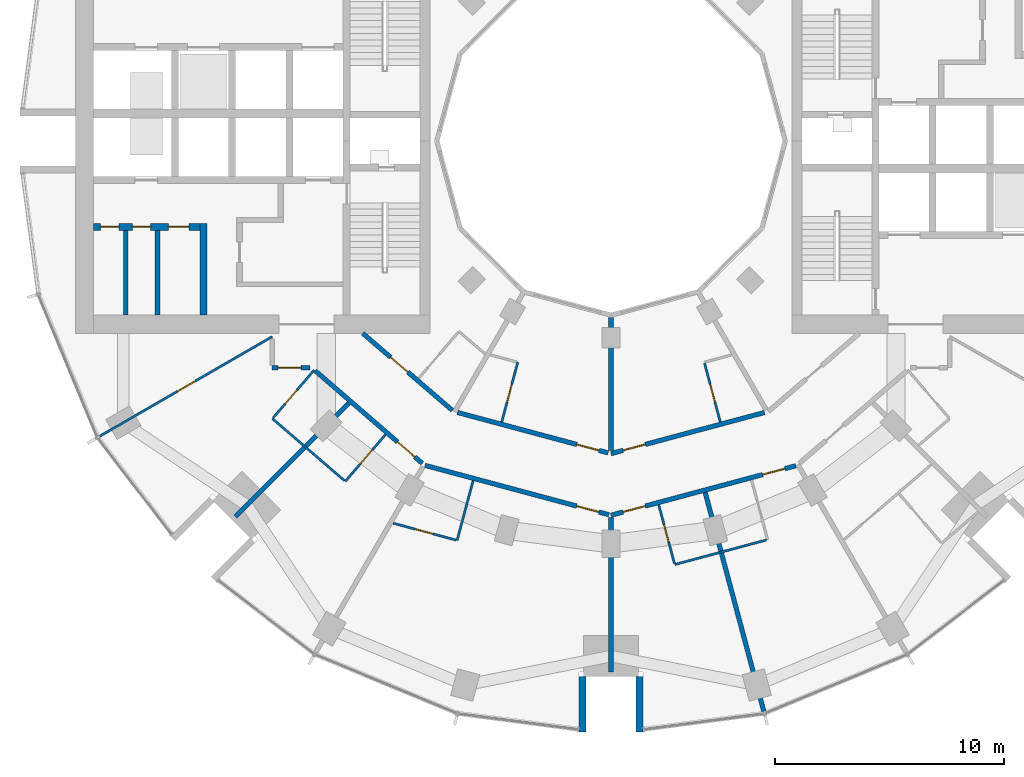
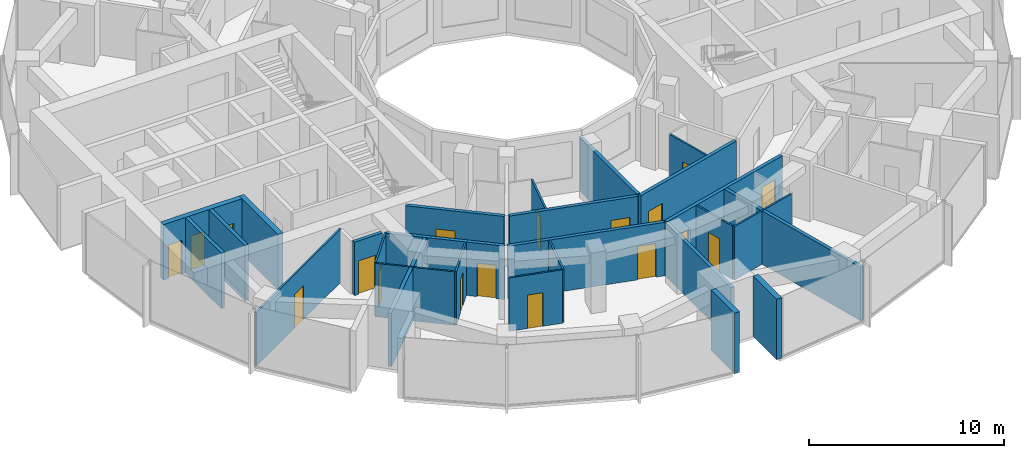
# One storey, part 8 of 15: 27 walls, 18 doors, 18 openings.
"""IFC4 building model written with IfcOpenShell, lengths in metres."""

from ifc_helpers import new_model, si_unit, direction, frame, frame_2d, origin, place, context, subcontext, project, spatial, rectangle, extrude, material, layer, layer_set, type_object, element, fill, save


model = new_model("IFC4")

# Units and contexts
model_context = context("Model", 3, precision=1e-05, world=origin(), true_north=direction((0.0, 1.0)))
body_context = subcontext(model_context, "Body", "Model", "MODEL_VIEW")
ifc_project = project(units=[si_unit("LENGTHUNIT", "METRE"), si_unit("AREAUNIT", "SQUARE_METRE"), si_unit("VOLUMEUNIT", "CUBIC_METRE"), si_unit("PLANEANGLEUNIT", "RADIAN"), si_unit("MASSUNIT", "GRAM", prefix="KILO")], contexts=[model_context])

# Site, building, storey
site_placement = place(None, origin())
site = spatial("IfcSite", under=ifc_project, at=site_placement, CompositionType="ELEMENT")
building_placement = place(site_placement, origin())
building = spatial("IfcBuilding", under=site, at=building_placement, Name="Torre Brocal", CompositionType="ELEMENT")
storey_placement = place(building_placement, frame((0.0, 0.0, 36.39990234375)))
storey = spatial("IfcBuildingStorey", under=building, at=storey_placement, Name="L07", CompositionType="ELEMENT", Elevation=36.39990234375)

# Walls
ifc_material_1 = material(Name="Masonry block", Category="masonry")
ifc_layer_1 = layer(ifc_material_1, 0.199951171875)
ifc_layer_set_1 = layer_set([ifc_layer_1], Name="Masonry block")
wall_type_1 = type_object("IfcWallType", Name="CORE PARTITION 200", PredefinedType="PARTITIONING", material=ifc_layer_set_1)
for number, where, z_axis, x_axis, name in (
    (1, (60.18994140625, 71.10009765625, 0.0), (0.0, 0.0, 1.0), (0.0, -1.0, 0.0), "Wall CP200"),
    (2, (58.794921875, 71.10009765625, 0.0), (0.0, 0.0, 1.0), (0.0, -1.0, 0.0), "Wall CP200"),
):
    element("IfcWall", number, at=place(storey_placement, frame(where, z_axis=z_axis, x_axis=x_axis)), inside=storey, type_object=wall_type_1, Name=name, PredefinedType="PARTITIONING", context=body_context, shape_type="SweptSolid", body=[
        extrude(rectangle(XDim=3.7001953125, YDim=0.199951171875, at=frame_2d((1.85009765625, 0.0))), origin(), (0.0, 0.0, 1.0), 3.47998046875),
    ])
ifc_material_2 = material(Name="Concrete C80", Category="concrete")
ifc_layer_2 = layer(ifc_material_2, 0.300048828125)
ifc_layer_set_2 = layer_set([ifc_layer_2], Name="Concrete C80")
wall_type_2 = type_object("IfcWallType", Name="CORE WALL 300 C80", PredefinedType="SHEAR", material=ifc_layer_set_2)
wall_1_placement = place(storey_placement, frame((62.199951171875, 71.39990234375, 0.0), z_axis=(0.0, 0.0, 1.0), x_axis=(0.0, -1.0, 0.0)))
element("IfcWall", 3, at=wall_1_placement, inside=storey, type_object=wall_type_2, Name="Wall CW300-80", PredefinedType="SHEAR", context=body_context, shape_type="SweptSolid", body=[
    extrude(rectangle(XDim=4.0, YDim=0.300048828125, at=frame_2d((2.0, 0.0))), origin(), (0.0, 0.0, 1.0), 3.47998046875),
])

# Wall, openings, doors
wall_2_placement = place(storey_placement, frame((62.050048828125, 71.25, 0.0), z_axis=(0.0, 0.0, 1.0), x_axis=(-1.0, 0.0, 0.0)))
wall_2 = element("IfcWall", 4, at=wall_2_placement, inside=storey, type_object=wall_type_2, Name="Wall CW300-80", PredefinedType="SHEAR", context=body_context, shape_type="SweptSolid", body=[
    extrude(rectangle(XDim=4.650146484375, YDim=0.300048828125, at=frame_2d((2.3251953125, 0.0))), origin(), (0.0, 0.0, 1.0), 3.47998046875),
])
opening_1_placement = place(wall_2_placement, frame((0.47998046875, 0.0, 0.0)))
opening_1 = element("IfcOpeningElement", 5, at=opening_1_placement, cuts=wall_2, Name="Opening W-D05", PredefinedType="OPENING", context=body_context, shape_type="SweptSolid", body=[
    extrude(rectangle(XDim=0.89990234375, YDim=2.10009765625, at=frame_2d((0.449951171875, 1.050048828125))), frame((0.0, 0.159912109375, 0.0), z_axis=(0.0, -1.0, 0.0), x_axis=(1.0, 0.0, 0.0)), (0.0, 0.0, 1.0), 0.320068359375),
])
opening_2_placement = place(wall_2_placement, frame((2.157470703125, 0.0, 0.0)))
opening_2 = element("IfcOpeningElement", 6, at=opening_2_placement, cuts=wall_2, Name="Opening W-D22", PredefinedType="OPENING", context=body_context, shape_type="SweptSolid", body=[
    extrude(rectangle(XDim=0.800048828125, YDim=2.10009765625, at=frame_2d((0.39990234375, 1.050048828125))), frame((0.0, 0.159912109375, 0.0), z_axis=(0.0, -1.0, 0.0), x_axis=(1.0, 0.0, 0.0)), (0.0, 0.0, 1.0), 0.320068359375),
])
opening_3_placement = place(wall_2_placement, frame((3.552490234375, 0.0, 0.0)))
opening_3 = element("IfcOpeningElement", 7, at=opening_3_placement, cuts=wall_2, Name="Opening W-D25", PredefinedType="OPENING", context=body_context, shape_type="SweptSolid", body=[
    extrude(rectangle(XDim=0.800048828125, YDim=2.10009765625, at=frame_2d((0.39990234375, 1.050048828125))), frame((0.0, 0.159912109375, 0.0), z_axis=(0.0, -1.0, 0.0), x_axis=(1.0, 0.0, 0.0)), (0.0, 0.0, 1.0), 0.320068359375),
])
ifc_material_3 = material(Name="Steel A653", Category="steel")
door_type_1 = type_object("IfcDoorType", Name="ROOM DOOR FD30S 800X2100", OperationType="SINGLE_SWING_LEFT", PredefinedType="DOOR", material=ifc_material_3)
door_1_placement = place(opening_2_placement, origin())
door_1 = element("IfcDoor", 8, at=door_1_placement, inside=storey, type_object=door_type_1, Name="Door W-D22", OperationType="SINGLE_SWING_RIGHT", OverallHeight=2.10009765625, OverallWidth=0.800048828125, PredefinedType="DOOR", context=body_context, shape_type="SweptSolid", body=[
    extrude(rectangle(XDim=0.800048828125, YDim=2.10009765625, at=frame_2d((0.39990234375, 1.050048828125))), frame((0.0, 0.02490234375, 0.0), z_axis=(0.0, -1.0, 0.0), x_axis=(1.0, 0.0, 0.0)), (0.0, 0.0, 1.0), 0.050048828125),
])
fill(opening_2, door_1)
door_2_placement = place(opening_3_placement, origin())
door_2 = element("IfcDoor", 9, at=door_2_placement, inside=storey, type_object=door_type_1, Name="Door W-D25", OperationType="SINGLE_SWING_LEFT", OverallHeight=2.10009765625, OverallWidth=0.800048828125, PredefinedType="DOOR", context=body_context, shape_type="SweptSolid", body=[
    extrude(rectangle(XDim=0.800048828125, YDim=2.10009765625, at=frame_2d((0.39990234375, 1.050048828125))), frame((0.0, 0.02490234375, 0.0), z_axis=(0.0, -1.0, 0.0), x_axis=(1.0, 0.0, 0.0)), (0.0, 0.0, 1.0), 0.050048828125),
])
fill(opening_3, door_2)
ifc_material_4 = material(Name="Steel A653", Category="steel")
door_type_2 = type_object("IfcDoorType", Name="ROOM DOOR FD30S 900X2100", OperationType="SINGLE_SWING_LEFT", PredefinedType="DOOR", material=ifc_material_4)
door_3_placement = place(opening_1_placement, origin())
door_3 = element("IfcDoor", 10, at=door_3_placement, inside=storey, type_object=door_type_2, Name="Door W-D05", OperationType="SINGLE_SWING_RIGHT", OverallHeight=2.10009765625, OverallWidth=0.89990234375, PredefinedType="DOOR", context=body_context, shape_type="SweptSolid", body=[
    extrude(rectangle(XDim=0.89990234375, YDim=2.10009765625, at=frame_2d((0.449951171875, 1.050048828125))), frame((0.0, 0.02490234375, 0.0), z_axis=(0.0, -1.0, 0.0), x_axis=(1.0, 0.0, 0.0)), (0.0, 0.0, 1.0), 0.050048828125),
])
fill(opening_1, door_3)

# Walls
ifc_material_5 = material(Name="Concrete C80", Category="concrete")
ifc_layer_3 = layer(ifc_material_5, 0.300048828125)
ifc_layer_set_3 = layer_set([ifc_layer_3], Name="Concrete C80")
wall_type_3 = type_object("IfcWallType", Name="NOTCH RETURN WALL 300 C80", PredefinedType="NOTDEFINED", material=ifc_layer_set_3)
for number, where, z_axis, x_axis, name in (
    (11, (78.75, 51.60009765625, 0.0), (0.0, 0.0, 1.0), (0.0, -1.0, 0.0), "NOTCH RETURN WALL"),
    (12, (81.25, 51.60009765625, 0.0), (0.0, 0.0, 1.0), (0.0, -1.0, 0.0), "NOTCH RETURN WALL"),
):
    element("IfcWall", number, at=place(storey_placement, frame(where, z_axis=z_axis, x_axis=x_axis)), inside=storey, type_object=wall_type_3, Name=name, PredefinedType="NOTDEFINED", context=body_context, shape_type="SweptSolid", body=[
        extrude(rectangle(XDim=2.415771484375, YDim=0.300048828125, at=frame_2d((1.2080078125, 0.0))), origin(), (0.0, 0.0, 1.0), 3.800048828125),
    ])

# Wall, opening, door
ifc_material_6 = material(Name="Gypsum board", Category="Gypsum")
ifc_layer_4 = layer(ifc_material_6, 0.10009765625)
ifc_layer_set_4 = layer_set([ifc_layer_4], Name="Gypsum board")
wall_type_4 = type_object("IfcWallType", Name="PARTITION 100", PredefinedType="PARTITIONING", material=ifc_layer_set_4)
wall_3_placement = place(storey_placement, frame((57.65869140625, 62.10107421875, 0.0), z_axis=(0.0, 0.0, 1.0), x_axis=(0.86602264145, 0.500004784474, 0.0)))
wall_3 = element("IfcWall", 13, at=wall_3_placement, inside=storey, type_object=wall_type_4, Name="ROOM PARTITION", PredefinedType="PARTITIONING", context=body_context, shape_type="SweptSolid", body=[
    extrude(rectangle(XDim=8.7080078125, YDim=0.10009765625, at=frame_2d((4.35400390625, 0.0))), origin(), (0.0, 0.0, 1.0), 3.35009765625),
])
opening_4_placement = place(wall_3_placement, frame((3.928955078125, 0.0, 0.0)))
opening_4 = element("IfcOpeningElement", 14, at=opening_4_placement, cuts=wall_3, Name="Opening H01-D42", PredefinedType="OPENING", context=body_context, shape_type="SweptSolid", body=[
    extrude(rectangle(XDim=0.89990234375, YDim=2.10009765625, at=frame_2d((0.449951171875, 1.050048828125))), frame((0.0, 0.06005859375, 0.0), z_axis=(0.0, -1.0, 0.0), x_axis=(1.0, 0.0, 0.0)), (0.0, 0.0, 1.0), 0.1201171875),
])
ifc_material_7 = material(Name="Timber", Category="wood")
door_type_3 = type_object("IfcDoorType", Name="ROOM DOOR 900X2100", OperationType="SINGLE_SWING_LEFT", PredefinedType="DOOR", material=ifc_material_7)
door_4_placement = place(opening_4_placement, origin())
door_4 = element("IfcDoor", 15, at=door_4_placement, inside=storey, type_object=door_type_3, Name="H01-D42", OperationType="SINGLE_SWING_RIGHT", OverallHeight=2.10009765625, OverallWidth=0.89990234375, PredefinedType="DOOR", context=body_context, shape_type="SweptSolid", body=[
    extrude(rectangle(XDim=0.89990234375, YDim=2.10009765625, at=frame_2d((0.449951171875, 1.050048828125))), frame((0.0, 0.02490234375, 0.0), z_axis=(0.0, -1.0, 0.0), x_axis=(1.0, 0.0, 0.0)), (0.0, 0.0, 1.0), 0.050048828125),
])
fill(opening_4, door_4)

wall_4_placement = place(storey_placement, frame((65.24169921875, 62.911865234375, 0.0), z_axis=(0.0, 0.0, 1.0), x_axis=(0.652069888227, 0.758158862553, 0.0)))
wall_4 = element("IfcWall", 16, at=wall_4_placement, inside=storey, type_object=wall_type_4, Name="BATHROOM WALL", PredefinedType="PARTITIONING", context=body_context, shape_type="SweptSolid", body=[
    extrude(rectangle(XDim=2.75, YDim=0.10009765625, at=frame_2d((1.375, 0.0))), origin(), (0.0, 0.0, 1.0), 3.35009765625),
])
opening_5_placement = place(wall_4_placement, frame((0.800048828125, 0.0, 0.0)))
opening_5 = element("IfcOpeningElement", 17, at=opening_5_placement, cuts=wall_4, Name="Opening H01-D41", PredefinedType="OPENING", context=body_context, shape_type="SweptSolid", body=[
    extrude(rectangle(XDim=0.800048828125, YDim=2.10009765625, at=frame_2d((0.39990234375, 1.050048828125))), frame((0.0, 0.06005859375, 0.0), z_axis=(0.0, -1.0, 0.0), x_axis=(1.0, 0.0, 0.0)), (0.0, 0.0, 1.0), 0.1201171875),
])
ifc_material_8 = material(Name="Timber", Category="wood")
door_type_4 = type_object("IfcDoorType", Name="BATHROOM DOOR 800X2100", OperationType="SINGLE_SWING_LEFT", PredefinedType="DOOR", material=ifc_material_8)
door_5_placement = place(opening_5_placement, frame((0.800048828125, 0.0, 0.0), z_axis=(0.0, 0.0, 1.0), x_axis=(-1.0, 0.0, 0.0)))
door_5 = element("IfcDoor", 18, at=door_5_placement, inside=storey, type_object=door_type_4, Name="H01-D41", OperationType="SINGLE_SWING_RIGHT", OverallHeight=2.10009765625, OverallWidth=0.800048828125, PredefinedType="DOOR", context=body_context, shape_type="SweptSolid", body=[
    extrude(rectangle(XDim=0.800048828125, YDim=2.10009765625, at=frame_2d((0.39990234375, 1.050048828125))), frame((0.0, 0.02490234375, 0.0), z_axis=(0.0, -1.0, 0.0), x_axis=(1.0, 0.0, 0.0)), (0.0, 0.0, 1.0), 0.050048828125),
])
fill(opening_5, door_5)

# Wall
wall_5_placement = place(storey_placement, frame((65.209228515625, 62.87451171875, 0.0), z_axis=(0.0, 0.0, 1.0), x_axis=(0.757930378138, -0.652335451969, 0.0)))
element("IfcWall", 19, at=wall_5_placement, inside=storey, type_object=wall_type_4, Name="BATHROOM WALL", PredefinedType="PARTITIONING", context=body_context, shape_type="SweptSolid", body=[
    extrude(rectangle(XDim=4.150146484375, YDim=0.10009765625, at=frame_2d((2.0751953125, 0.0))), origin(), (0.0, 0.0, 1.0), 3.35009765625),
])

# Wall, opening, door
wall_6_placement = place(storey_placement, frame((68.39306640625, 60.135009765625, 0.0), z_axis=(0.0, 0.0, 1.0), x_axis=(0.652061182569, 0.758166349944, 0.0)))
wall_6 = element("IfcWall", 20, at=wall_6_placement, inside=storey, type_object=wall_type_4, Name="BATHROOM WALL", PredefinedType="PARTITIONING", context=body_context, shape_type="SweptSolid", body=[
    extrude(rectangle(XDim=2.689697265625, YDim=0.10009765625, at=frame_2d((1.3447265625, 0.0))), origin(), (0.0, 0.0, 1.0), 3.35009765625),
])
opening_6_placement = place(wall_6_placement, frame((1.0, 0.0, 0.0)))
opening_6 = element("IfcOpeningElement", 21, at=opening_6_placement, cuts=wall_6, Name="Opening H01-D39", PredefinedType="OPENING", context=body_context, shape_type="SweptSolid", body=[
    extrude(rectangle(XDim=0.800048828125, YDim=2.10009765625, at=frame_2d((0.39990234375, 1.050048828125))), frame((0.0, 0.06005859375, 0.0), z_axis=(0.0, -1.0, 0.0), x_axis=(1.0, 0.0, 0.0)), (0.0, 0.0, 1.0), 0.1201171875),
])
door_6_placement = place(opening_6_placement, origin())
door_6 = element("IfcDoor", 22, at=door_6_placement, inside=storey, type_object=door_type_4, Name="H01-D39", OperationType="SINGLE_SWING_RIGHT", OverallHeight=2.10009765625, OverallWidth=0.800048828125, PredefinedType="DOOR", context=body_context, shape_type="SweptSolid", body=[
    extrude(rectangle(XDim=0.800048828125, YDim=2.10009765625, at=frame_2d((0.39990234375, 1.050048828125))), frame((0.0, 0.02490234375, 0.0), z_axis=(0.0, -1.0, 0.0), x_axis=(1.0, 0.0, 0.0)), (0.0, 0.0, 1.0), 0.050048828125),
])
fill(opening_6, door_6)

wall_7_placement = place(storey_placement, frame((70.484375, 58.305419921875, 0.0), z_axis=(0.0, 0.0, 1.0), x_axis=(0.965904703781, -0.258897862512, 0.0)))
wall_7 = element("IfcWall", 23, at=wall_7_placement, inside=storey, type_object=wall_type_4, Name="BATHROOM WALL", PredefinedType="PARTITIONING", context=body_context, shape_type="SweptSolid", body=[
    extrude(rectangle(XDim=2.84130859375, YDim=0.10009765625, at=frame_2d((1.420654296875, 0.0))), origin(), (0.0, 0.0, 1.0), 3.35009765625),
])
opening_7_placement = place(wall_7_placement, frame((0.990478515625, 0.0, 0.0)))
opening_7 = element("IfcOpeningElement", 24, at=opening_7_placement, cuts=wall_7, Name="Opening H01-D37", PredefinedType="OPENING", context=body_context, shape_type="SweptSolid", body=[
    extrude(rectangle(XDim=0.800048828125, YDim=2.10009765625, at=frame_2d((0.39990234375, 1.050048828125))), frame((0.0, 0.06005859375, 0.0), z_axis=(0.0, -1.0, 0.0), x_axis=(1.0, 0.0, 0.0)), (0.0, 0.0, 1.0), 0.1201171875),
])
door_7_placement = place(opening_7_placement, origin())
door_7 = element("IfcDoor", 25, at=door_7_placement, inside=storey, type_object=door_type_4, Name="H01-D37", OperationType="SINGLE_SWING_LEFT", OverallHeight=2.10009765625, OverallWidth=0.800048828125, PredefinedType="DOOR", context=body_context, shape_type="SweptSolid", body=[
    extrude(rectangle(XDim=0.800048828125, YDim=2.10009765625, at=frame_2d((0.39990234375, 1.050048828125))), frame((0.0, 0.02490234375, 0.0), z_axis=(0.0, -1.0, 0.0), x_axis=(1.0, 0.0, 0.0)), (0.0, 0.0, 1.0), 0.050048828125),
])
fill(opening_7, door_7)

# Wall
wall_8_placement = place(storey_placement, frame((73.277099609375, 57.556884765625, 0.0), z_axis=(0.0, 0.0, 1.0), x_axis=(0.258928960762, 0.965896367774, 0.0)))
element("IfcWall", 26, at=wall_8_placement, inside=storey, type_object=wall_type_4, Name="BATHROOM WALL", PredefinedType="PARTITIONING", context=body_context, shape_type="SweptSolid", body=[
    extrude(rectangle(XDim=2.699462890625, YDim=0.10009765625, at=frame_2d((1.349609375, 0.0))), origin(), (0.0, 0.0, 1.0), 3.35009765625),
])

# Wall, opening, door
wall_9_placement = place(storey_placement, frame((75.226806640625, 62.728759765625, 0.0), z_axis=(0.0, 0.0, 1.0), x_axis=(0.258945475746, 0.965891940432, 0.0)))
wall_9 = element("IfcWall", 27, at=wall_9_placement, inside=storey, type_object=wall_type_4, Name="BATHROOM WALL", PredefinedType="PARTITIONING", context=body_context, shape_type="SweptSolid", body=[
    extrude(rectangle(XDim=2.7001953125, YDim=0.10009765625, at=frame_2d((1.35009765625, 0.0))), origin(), (0.0, 0.0, 1.0), 3.35009765625),
])
opening_8_placement = place(wall_9_placement, frame((0.900146484375, 0.0, 0.0)))
opening_8 = element("IfcOpeningElement", 28, at=opening_8_placement, cuts=wall_9, Name="Opening H01-D47", PredefinedType="OPENING", context=body_context, shape_type="SweptSolid", body=[
    extrude(rectangle(XDim=0.800048828125, YDim=2.10009765625, at=frame_2d((0.39990234375, 1.050048828125))), frame((0.0, 0.06005859375, 0.0), z_axis=(0.0, -1.0, 0.0), x_axis=(1.0, 0.0, 0.0)), (0.0, 0.0, 1.0), 0.1201171875),
])
door_8_placement = place(opening_8_placement, origin())
door_8 = element("IfcDoor", 29, at=door_8_placement, inside=storey, type_object=door_type_4, Name="H01-D47", OperationType="SINGLE_SWING_LEFT", OverallHeight=2.10009765625, OverallWidth=0.800048828125, PredefinedType="DOOR", context=body_context, shape_type="SweptSolid", body=[
    extrude(rectangle(XDim=0.800048828125, YDim=2.10009765625, at=frame_2d((0.39990234375, 1.050048828125))), frame((0.0, 0.02490234375, 0.0), z_axis=(0.0, -1.0, 0.0), x_axis=(1.0, 0.0, 0.0)), (0.0, 0.0, 1.0), 0.050048828125),
])
fill(opening_8, door_8)

wall_10_placement = place(storey_placement, frame((82.083984375, 59.1083984375, 0.0), z_axis=(0.0, 0.0, 1.0), x_axis=(0.258591746437, -0.965986702121, 0.0)))
wall_10 = element("IfcWall", 30, at=wall_10_placement, inside=storey, type_object=wall_type_4, Name="BATHROOM WALL", PredefinedType="PARTITIONING", context=body_context, shape_type="SweptSolid", body=[
    extrude(rectangle(XDim=2.649169921875, YDim=0.10009765625, at=frame_2d((1.32470703125, 0.0))), origin(), (0.0, 0.0, 1.0), 3.35009765625),
])
opening_9_placement = place(wall_10_placement, frame((0.899658203125, 0.0, 0.0)))
opening_9 = element("IfcOpeningElement", 31, at=opening_9_placement, cuts=wall_10, Name="Opening H01-D35", PredefinedType="OPENING", context=body_context, shape_type="SweptSolid", body=[
    extrude(rectangle(XDim=0.800048828125, YDim=2.10009765625, at=frame_2d((0.39990234375, 1.050048828125))), frame((0.0, 0.06005859375, 0.0), z_axis=(0.0, -1.0, 0.0), x_axis=(1.0, 0.0, 0.0)), (0.0, 0.0, 1.0), 0.1201171875),
])
door_9_placement = place(opening_9_placement, origin())
door_9 = element("IfcDoor", 32, at=door_9_placement, inside=storey, type_object=door_type_4, Name="H01-D35", OperationType="SINGLE_SWING_LEFT", OverallHeight=2.10009765625, OverallWidth=0.800048828125, PredefinedType="DOOR", context=body_context, shape_type="SweptSolid", body=[
    extrude(rectangle(XDim=0.800048828125, YDim=2.10009765625, at=frame_2d((0.39990234375, 1.050048828125))), frame((0.0, 0.02490234375, 0.0), z_axis=(0.0, -1.0, 0.0), x_axis=(1.0, 0.0, 0.0)), (0.0, 0.0, 1.0), 0.050048828125),
])
fill(opening_9, door_9)

# Wall
wall_11_placement = place(storey_placement, frame((82.781982421875, 56.5009765625, 0.0), z_axis=(0.0, 0.0, 1.0), x_axis=(0.965999228418, 0.258544949083, 0.0)))
element("IfcWall", 33, at=wall_11_placement, inside=storey, type_object=wall_type_4, Name="BATHROOM WALL", PredefinedType="PARTITIONING", context=body_context, shape_type="SweptSolid", body=[
    extrude(rectangle(XDim=4.150146484375, YDim=0.10009765625, at=frame_2d((2.0751953125, 0.0))), origin(), (0.0, 0.0, 1.0), 3.35009765625),
])

# Wall, opening, door
wall_12_placement = place(storey_placement, frame((84.0869140625, 65.288818359375, 0.0), z_axis=(0.0, 0.0, 1.0), x_axis=(0.258929459649, -0.965896234037, 0.0)))
wall_12 = element("IfcWall", 34, at=wall_12_placement, inside=storey, type_object=wall_type_4, Name="BATHROOM WALL", PredefinedType="PARTITIONING", context=body_context, shape_type="SweptSolid", body=[
    extrude(rectangle(XDim=2.650390625, YDim=0.10009765625, at=frame_2d((1.3251953125, 0.0))), origin(), (0.0, 0.0, 1.0), 3.35009765625),
])
opening_10_placement = place(wall_12_placement, frame((0.9501953125, 0.0, 0.0)))
opening_10 = element("IfcOpeningElement", 35, at=opening_10_placement, cuts=wall_12, Name="Opening H01-D45", PredefinedType="OPENING", context=body_context, shape_type="SweptSolid", body=[
    extrude(rectangle(XDim=0.800048828125, YDim=2.10009765625, at=frame_2d((0.39990234375, 1.050048828125))), frame((0.0, 0.06005859375, 0.0), z_axis=(0.0, -1.0, 0.0), x_axis=(1.0, 0.0, 0.0)), (0.0, 0.0, 1.0), 0.1201171875),
])
door_10_placement = place(opening_10_placement, origin())
door_10 = element("IfcDoor", 36, at=door_10_placement, inside=storey, type_object=door_type_4, Name="H01-D45", OperationType="SINGLE_SWING_RIGHT", OverallHeight=2.10009765625, OverallWidth=0.800048828125, PredefinedType="DOOR", context=body_context, shape_type="SweptSolid", body=[
    extrude(rectangle(XDim=0.800048828125, YDim=2.10009765625, at=frame_2d((0.39990234375, 1.050048828125))), frame((0.0, 0.02490234375, 0.0), z_axis=(0.0, -1.0, 0.0), x_axis=(1.0, 0.0, 0.0)), (0.0, 0.0, 1.0), 0.050048828125),
])
fill(opening_10, door_10)

# Wall
ifc_material_9 = material(Name="Gypsum board", Category="Gypsum")
ifc_layer_5 = layer(ifc_material_9, 0.199951171875)
ifc_layer_set_5 = layer_set([ifc_layer_5], Name="Gypsum board")
wall_type_5 = type_object("IfcWallType", Name="PARTITION 200 EI60", PredefinedType="PARTITIONING", material=ifc_layer_set_5)
wall_13_placement = place(storey_placement, frame((63.59228515625, 58.59912109375, 0.0), z_axis=(0.0, 0.0, 1.0), x_axis=(0.707228748718, 0.706984792613, 0.0)))
element("IfcWall", 37, at=wall_13_placement, inside=storey, type_object=wall_type_5, Name="BATHROOM WALL", PredefinedType="PARTITIONING", context=body_context, shape_type="SweptSolid", body=[
    extrude(rectangle(XDim=7.00537109375, YDim=0.199951171875, at=frame_2d((3.502685546875, 0.0))), origin(), (0.0, 0.0, 1.0), 3.35009765625),
])

# Wall, opening, door
wall_14_placement = place(storey_placement, frame((65.199951171875, 65.10009765625, 0.0), z_axis=(0.0, 0.0, 1.0), x_axis=(1.0, 0.0, 0.0)))
wall_14 = element("IfcWall", 38, at=wall_14_placement, inside=storey, type_object=wall_type_5, Name="GUESTROOM CORRIDOR WALL", PredefinedType="PARTITIONING", context=body_context, shape_type="SweptSolid", body=[
    extrude(rectangle(XDim=1.655029296875, YDim=0.199951171875, at=frame_2d((0.82763671875, 0.0))), origin(), (0.0, 0.0, 1.0), 3.35009765625),
])
opening_11_placement = place(wall_14_placement, frame((0.25, 0.0, 0.0)))
opening_11 = element("IfcOpeningElement", 39, at=opening_11_placement, cuts=wall_14, Name="Opening H01-D40", PredefinedType="OPENING", context=body_context, shape_type="SweptSolid", body=[
    extrude(rectangle(XDim=1.0, YDim=2.10009765625, at=frame_2d((0.5, 1.050048828125))), frame((0.0, 0.10986328125, 0.0), z_axis=(0.0, -1.0, 0.0), x_axis=(1.0, 0.0, 0.0)), (0.0, 0.0, 1.0), 0.219970703125),
])
ifc_material_10 = material(Name="Timber", Category="wood")
door_type_5 = type_object("IfcDoorType", Name="FLAT ENTRY DOOR FD30S 1000X2100", OperationType="SINGLE_SWING_RIGHT", PredefinedType="DOOR", material=ifc_material_10)
door_11_placement = place(opening_11_placement, frame((1.0, 0.0, 0.0), z_axis=(0.0, 0.0, 1.0), x_axis=(-1.0, 0.0, 0.0)))
door_11 = element("IfcDoor", 40, at=door_11_placement, inside=storey, type_object=door_type_5, Name="H01-D40", OperationType="SINGLE_SWING_RIGHT", OverallHeight=2.10009765625, OverallWidth=1.0, PredefinedType="DOOR", context=body_context, shape_type="SweptSolid", body=[
    extrude(rectangle(XDim=1.0, YDim=2.10009765625, at=frame_2d((0.5, 1.050048828125))), frame((0.0, 0.02490234375, 0.0), z_axis=(0.0, -1.0, 0.0), x_axis=(1.0, 0.0, 0.0)), (0.0, 0.0, 1.0), 0.050048828125),
])
fill(opening_11, door_11)

wall_15_placement = place(storey_placement, frame((67.078125, 64.967529296875, 0.0), z_axis=(0.0, 0.0, 1.0), x_axis=(0.756371089567, -0.654142778656, 0.0)))
wall_15 = element("IfcWall", 41, at=wall_15_placement, inside=storey, type_object=wall_type_5, Name="GUESTROOM CORRIDOR WALL", PredefinedType="PARTITIONING", context=body_context, shape_type="SweptSolid", body=[
    extrude(rectangle(XDim=6.185302734375, YDim=0.199951171875, at=frame_2d((3.0927734375, 0.0))), origin(), (0.0, 0.0, 1.0), 3.35009765625),
])
opening_12_placement = place(wall_15_placement, frame((4.755126953125, 0.0, 0.0)))
opening_12 = element("IfcOpeningElement", 42, at=opening_12_placement, cuts=wall_15, Name="Opening H01-D38", PredefinedType="OPENING", context=body_context, shape_type="SweptSolid", body=[
    extrude(rectangle(XDim=1.0, YDim=2.10009765625, at=frame_2d((0.5, 1.050048828125))), frame((0.0, 0.10986328125, 0.0), z_axis=(0.0, -1.0, 0.0), x_axis=(1.0, 0.0, 0.0)), (0.0, 0.0, 1.0), 0.219970703125),
])
door_12_placement = place(opening_12_placement, frame((1.0, 0.0, 0.0), z_axis=(0.0, 0.0, 1.0), x_axis=(-1.0, 0.0, 0.0)))
door_12 = element("IfcDoor", 43, at=door_12_placement, inside=storey, type_object=door_type_5, Name="H01-D38", OperationType="SINGLE_SWING_LEFT", OverallHeight=2.10009765625, OverallWidth=1.0, PredefinedType="DOOR", context=body_context, shape_type="SweptSolid", body=[
    extrude(rectangle(XDim=1.0, YDim=2.10009765625, at=frame_2d((0.5, 1.050048828125))), frame((0.0, 0.02490234375, 0.0), z_axis=(0.0, -1.0, 0.0), x_axis=(1.0, 0.0, 0.0)), (0.0, 0.0, 1.0), 0.050048828125),
])
fill(opening_12, door_12)

wall_16_placement = place(storey_placement, frame((69.158203125, 66.60009765625, 0.0), z_axis=(0.0, 0.0, 1.0), x_axis=(0.757976058094, -0.652282373943, 0.0)))
wall_16 = element("IfcWall", 44, at=wall_16_placement, inside=storey, type_object=wall_type_5, Name="GUESTROOM CORRIDOR WALL", PredefinedType="PARTITIONING", context=body_context, shape_type="SweptSolid", body=[
    extrude(rectangle(XDim=5.160400390625, YDim=0.199951171875, at=frame_2d((2.580078125, 0.0))), origin(), (0.0, 0.0, 1.0), 3.35009765625),
])
opening_13_placement = place(wall_16_placement, frame((1.60009765625, 0.0, 0.0)))
opening_13 = element("IfcOpeningElement", 45, at=opening_13_placement, cuts=wall_16, Name="Opening H01-D48", PredefinedType="OPENING", context=body_context, shape_type="SweptSolid", body=[
    extrude(rectangle(XDim=1.0, YDim=2.10009765625, at=frame_2d((0.5, 1.050048828125))), frame((0.0, 0.10986328125, 0.0), z_axis=(0.0, -1.0, 0.0), x_axis=(1.0, 0.0, 0.0)), (0.0, 0.0, 1.0), 0.219970703125),
])
door_13_placement = place(opening_13_placement, origin())
door_13 = element("IfcDoor", 46, at=door_13_placement, inside=storey, type_object=door_type_5, Name="H01-D48", OperationType="SINGLE_SWING_RIGHT", OverallHeight=2.10009765625, OverallWidth=1.0, PredefinedType="DOOR", context=body_context, shape_type="SweptSolid", body=[
    extrude(rectangle(XDim=1.0, YDim=2.10009765625, at=frame_2d((0.5, 1.050048828125))), frame((0.0, 0.02490234375, 0.0), z_axis=(0.0, -1.0, 0.0), x_axis=(1.0, 0.0, 0.0)), (0.0, 0.0, 1.0), 0.050048828125),
])
fill(opening_13, door_13)

wall_17_placement = place(storey_placement, frame((71.877197265625, 60.831298828125, 0.0), z_axis=(0.0, 0.0, 1.0), x_axis=(0.965852509869, -0.259092510851, 0.0)))
wall_17 = element("IfcWall", 47, at=wall_17_placement, inside=storey, type_object=wall_type_5, Name="GUESTROOM CORRIDOR WALL", PredefinedType="PARTITIONING", context=body_context, shape_type="SweptSolid", body=[
    extrude(rectangle(XDim=8.319580078125, YDim=0.199951171875, at=frame_2d((4.15966796875, 0.0))), origin(), (0.0, 0.0, 1.0), 3.35009765625),
])
opening_14_placement = place(wall_17_placement, frame((6.859619140625, 0.0, 0.0)))
opening_14 = element("IfcOpeningElement", 48, at=opening_14_placement, cuts=wall_17, Name="Opening H01-D36", PredefinedType="OPENING", context=body_context, shape_type="SweptSolid", body=[
    extrude(rectangle(XDim=1.0, YDim=2.10009765625, at=frame_2d((0.5, 1.050048828125))), frame((0.0, 0.10986328125, 0.0), z_axis=(0.0, -1.0, 0.0), x_axis=(1.0, 0.0, 0.0)), (0.0, 0.0, 1.0), 0.219970703125),
])
door_14_placement = place(opening_14_placement, frame((1.0, 0.0, 0.0), z_axis=(0.0, 0.0, 1.0), x_axis=(-1.0, 0.0, 0.0)))
door_14 = element("IfcDoor", 49, at=door_14_placement, inside=storey, type_object=door_type_5, Name="H01-D36", OperationType="SINGLE_SWING_LEFT", OverallHeight=2.10009765625, OverallWidth=1.0, PredefinedType="DOOR", context=body_context, shape_type="SweptSolid", body=[
    extrude(rectangle(XDim=1.0, YDim=2.10009765625, at=frame_2d((0.5, 1.050048828125))), frame((0.0, 0.02490234375, 0.0), z_axis=(0.0, -1.0, 0.0), x_axis=(1.0, 0.0, 0.0)), (0.0, 0.0, 1.0), 0.050048828125),
])
fill(opening_14, door_14)

wall_18_placement = place(storey_placement, frame((73.296875, 63.142578125, 0.0), z_axis=(0.0, 0.0, 1.0), x_axis=(0.965859030528, -0.25906820173, 0.0)))
wall_18 = element("IfcWall", 50, at=wall_18_placement, inside=storey, type_object=wall_type_5, Name="GUESTROOM CORRIDOR WALL", PredefinedType="PARTITIONING", context=body_context, shape_type="SweptSolid", body=[
    extrude(rectangle(XDim=6.8095703125, YDim=0.199951171875, at=frame_2d((3.40478515625, 0.0))), origin(), (0.0, 0.0, 1.0), 3.35009765625),
])
opening_15_placement = place(wall_18_placement, frame((5.3896484375, 0.0, 0.0)))
opening_15 = element("IfcOpeningElement", 51, at=opening_15_placement, cuts=wall_18, Name="Opening H01-D46", PredefinedType="OPENING", context=body_context, shape_type="SweptSolid", body=[
    extrude(rectangle(XDim=1.0, YDim=2.10009765625, at=frame_2d((0.5, 1.050048828125))), frame((0.0, 0.10986328125, 0.0), z_axis=(0.0, -1.0, 0.0), x_axis=(1.0, 0.0, 0.0)), (0.0, 0.0, 1.0), 0.219970703125),
])
door_15_placement = place(opening_15_placement, origin())
door_15 = element("IfcDoor", 52, at=door_15_placement, inside=storey, type_object=door_type_5, Name="H01-D46", OperationType="SINGLE_SWING_RIGHT", OverallHeight=2.10009765625, OverallWidth=1.0, PredefinedType="DOOR", context=body_context, shape_type="SweptSolid", body=[
    extrude(rectangle(XDim=1.0, YDim=2.10009765625, at=frame_2d((0.5, 1.050048828125))), frame((0.0, 0.02490234375, 0.0), z_axis=(0.0, -1.0, 0.0), x_axis=(1.0, 0.0, 0.0)), (0.0, 0.0, 1.0), 0.050048828125),
])
fill(opening_15, door_15)

# Wall
wall_19_placement = place(storey_placement, frame((80.0, 51.801025390625, 0.0), z_axis=(0.0, 0.0, 1.0), x_axis=(0.0, 1.0, 0.0)))
element("IfcWall", 53, at=wall_19_placement, inside=storey, type_object=wall_type_5, Name="PARTY PARTITION", PredefinedType="PARTITIONING", context=body_context, shape_type="SweptSolid", body=[
    extrude(rectangle(XDim=6.761962890625, YDim=0.199951171875, at=frame_2d((3.380859375, 0.0))), origin(), (0.0, 0.0, 1.0), 3.35009765625),
])

# Wall, openings, doors
wall_20_placement = place(storey_placement, frame((79.999755859375, 58.65478515625, 0.0), z_axis=(0.0, 0.0, 1.0), x_axis=(0.965974635626, 0.258636817424, 0.0)))
wall_20 = element("IfcWall", 54, at=wall_20_placement, inside=storey, type_object=wall_type_5, Name="GUESTROOM CORRIDOR WALL", PredefinedType="PARTITIONING", context=body_context, shape_type="SweptSolid", body=[
    extrude(rectangle(XDim=8.359619140625, YDim=0.199951171875, at=frame_2d((4.1796875, 0.0))), origin(), (0.0, 0.0, 1.0), 3.35009765625),
])
opening_16_placement = place(wall_20_placement, frame((6.859619140625, 0.0, 0.0)))
opening_16 = element("IfcOpeningElement", 55, at=opening_16_placement, cuts=wall_20, Name="Opening H01-D32", PredefinedType="OPENING", context=body_context, shape_type="SweptSolid", body=[
    extrude(rectangle(XDim=1.0, YDim=2.10009765625, at=frame_2d((0.5, 1.050048828125))), frame((0.0, 0.10986328125, 0.0), z_axis=(0.0, -1.0, 0.0), x_axis=(1.0, 0.0, 0.0)), (0.0, 0.0, 1.0), 0.219970703125),
])
opening_17_placement = place(wall_20_placement, frame((0.550048828125, 0.0, 0.0)))
opening_17 = element("IfcOpeningElement", 56, at=opening_17_placement, cuts=wall_20, Name="Opening H01-D34", PredefinedType="OPENING", context=body_context, shape_type="SweptSolid", body=[
    extrude(rectangle(XDim=1.0, YDim=2.10009765625, at=frame_2d((0.5, 1.050048828125))), frame((0.0, 0.10986328125, 0.0), z_axis=(0.0, -1.0, 0.0), x_axis=(1.0, 0.0, 0.0)), (0.0, 0.0, 1.0), 0.219970703125),
])
door_16_placement = place(opening_16_placement, frame((1.0, 0.0, 0.0), z_axis=(0.0, 0.0, 1.0), x_axis=(-1.0, 0.0, 0.0)))
door_16 = element("IfcDoor", 57, at=door_16_placement, inside=storey, type_object=door_type_5, Name="H01-D32", OperationType="SINGLE_SWING_RIGHT", OverallHeight=2.10009765625, OverallWidth=1.0, PredefinedType="DOOR", context=body_context, shape_type="SweptSolid", body=[
    extrude(rectangle(XDim=1.0, YDim=2.10009765625, at=frame_2d((0.5, 1.050048828125))), frame((0.0, 0.02490234375, 0.0), z_axis=(0.0, -1.0, 0.0), x_axis=(1.0, 0.0, 0.0)), (0.0, 0.0, 1.0), 0.050048828125),
])
fill(opening_16, door_16)
door_17_placement = place(opening_17_placement, frame((1.0, 0.0, 0.0), z_axis=(0.0, 0.0, 1.0), x_axis=(-1.0, 0.0, 0.0)))
door_17 = element("IfcDoor", 58, at=door_17_placement, inside=storey, type_object=door_type_5, Name="H01-D34", OperationType="SINGLE_SWING_LEFT", OverallHeight=2.10009765625, OverallWidth=1.0, PredefinedType="DOOR", context=body_context, shape_type="SweptSolid", body=[
    extrude(rectangle(XDim=1.0, YDim=2.10009765625, at=frame_2d((0.5, 1.050048828125))), frame((0.0, 0.02490234375, 0.0), z_axis=(0.0, -1.0, 0.0), x_axis=(1.0, 0.0, 0.0)), (0.0, 0.0, 1.0), 0.050048828125),
])
fill(opening_17, door_17)

# Wall
wall_21_placement = place(storey_placement, frame((80.0, 61.47607421875, 0.0), z_axis=(0.0, 0.0, 1.0), x_axis=(0.0, 1.0, 0.0)))
element("IfcWall", 59, at=wall_21_placement, inside=storey, type_object=wall_type_5, Name="PARTY PARTITION", PredefinedType="PARTITIONING", context=body_context, shape_type="SweptSolid", body=[
    extrude(rectangle(XDim=5.824951171875, YDim=0.199951171875, at=frame_2d((2.91259765625, 0.0))), origin(), (0.0, 0.0, 1.0), 3.35009765625),
])

# Wall, opening, door
wall_22_placement = place(storey_placement, frame((80.0, 61.345947265625, 0.0), z_axis=(0.0, 0.0, 1.0), x_axis=(0.965924181808, 0.258825182312, 0.0)))
wall_22 = element("IfcWall", 60, at=wall_22_placement, inside=storey, type_object=wall_type_5, Name="GUESTROOM CORRIDOR WALL", PredefinedType="PARTITIONING", context=body_context, shape_type="SweptSolid", body=[
    extrude(rectangle(XDim=6.939697265625, YDim=0.199951171875, at=frame_2d((3.4697265625, 0.0))), origin(), (0.0, 0.0, 1.0), 3.35009765625),
])
opening_18_placement = place(wall_22_placement, frame((0.550048828125, 0.0, 0.0)))
opening_18 = element("IfcOpeningElement", 61, at=opening_18_placement, cuts=wall_22, Name="Opening H01-D44", PredefinedType="OPENING", context=body_context, shape_type="SweptSolid", body=[
    extrude(rectangle(XDim=1.0, YDim=2.10009765625, at=frame_2d((0.5, 1.050048828125))), frame((0.0, 0.10986328125, 0.0), z_axis=(0.0, -1.0, 0.0), x_axis=(1.0, 0.0, 0.0)), (0.0, 0.0, 1.0), 0.219970703125),
])
door_18_placement = place(opening_18_placement, origin())
door_18 = element("IfcDoor", 62, at=door_18_placement, inside=storey, type_object=door_type_5, Name="H01-D44", OperationType="SINGLE_SWING_LEFT", OverallHeight=2.10009765625, OverallWidth=1.0, PredefinedType="DOOR", context=body_context, shape_type="SweptSolid", body=[
    extrude(rectangle(XDim=1.0, YDim=2.10009765625, at=frame_2d((0.5, 1.050048828125))), frame((0.0, 0.02490234375, 0.0), z_axis=(0.0, -1.0, 0.0), x_axis=(1.0, 0.0, 0.0)), (0.0, 0.0, 1.0), 0.050048828125),
])
fill(opening_18, door_18)

# Wall
wall_23_placement = place(storey_placement, frame((84.112060546875, 59.65234375, 0.0), z_axis=(0.0, 0.0, 1.0), x_axis=(0.258791091927, -0.965933315886, 0.0)))
element("IfcWall", 63, at=wall_23_placement, inside=storey, type_object=wall_type_5, Name="BATHROOM WALL", PredefinedType="PARTITIONING", context=body_context, shape_type="SweptSolid", body=[
    extrude(rectangle(XDim=9.909423828125, YDim=0.199951171875, at=frame_2d((4.95458984375, 0.0))), origin(), (0.0, 0.0, 1.0), 3.35009765625),
])

save(model, "model.ifc")
